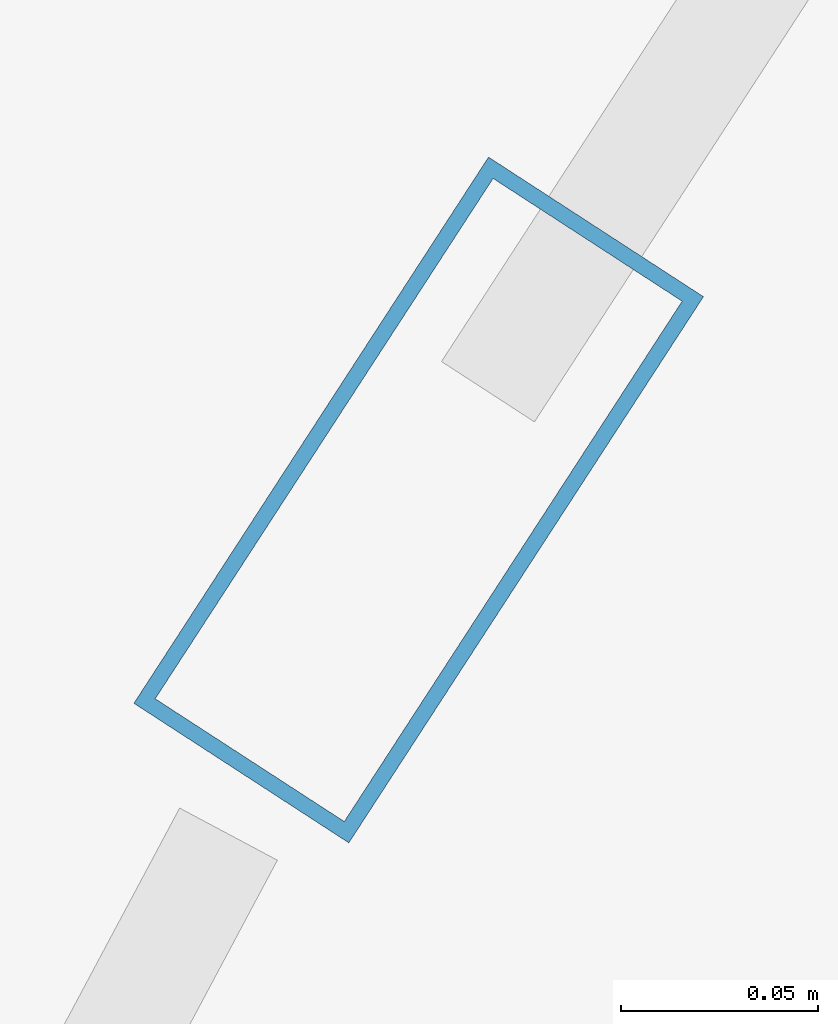
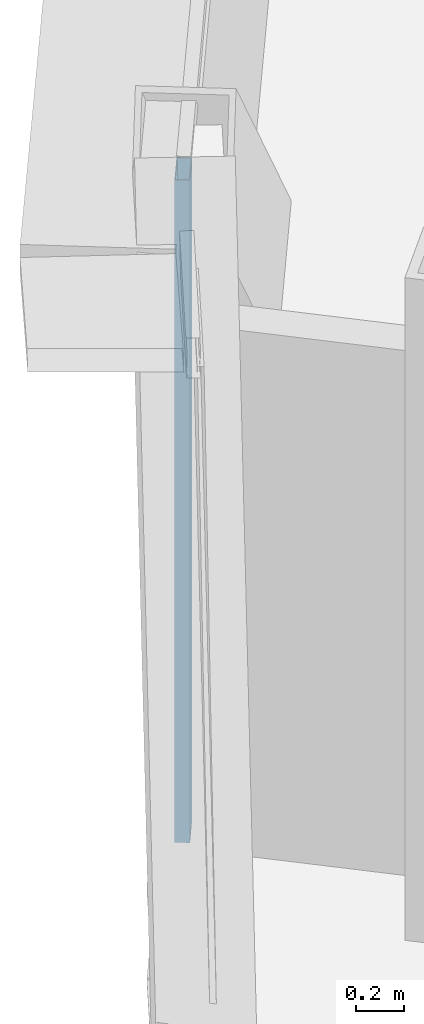
# One storey, part 16 of 42: 1 member, 1 element without a shape of its own.
"""IFC4 building model written with IfcOpenShell, lengths in metres."""

import ifcopenshell
import ifcopenshell.guid

model = None  # the IFC model being written
_history = None  # IfcOwnerHistory: only IFC2X3 demands one
_inside = {}  # id of a spatial element -> (the spatial element, [elements in it])
_under = {}  # id of a project, library or spatial element -> (it, [spatial elements below it])
_declared = {}  # id of a project -> (the project, [libraries it declares])
_typed = {}  # id of a type object -> (the type object, [elements of that type])
_made_of = {}  # id of a material, layer set ... -> (it, [elements and type objects made of it])


def new_model(schema):
    """Start an empty IFC model of exactly this schema.

    Asked for "IFC4X3", IfcOpenShell would pick the latest addendum, in which some entities
    have other attributes; the version numbers below select the first issue.
    IFC2X3 requires an IfcOwnerHistory on every rooted entity: one is made here for all.
    """
    global model, _history
    if schema == "IFC4X3":
        model = ifcopenshell.file(schema_version=(4, 3, 0, 0))
    else:
        model = ifcopenshell.file(schema=schema)
    _inside.clear()
    _under.clear()
    _declared.clear()
    _typed.clear()
    _made_of.clear()
    _history = None
    if model.schema == "IFC2X3":
        org = make("IfcOrganization", Name="unknown")
        user = make(
            "IfcPersonAndOrganization",
            ThePerson=make("IfcPerson", FamilyName="unknown"),
            TheOrganization=org,
        )
        app = make(
            "IfcApplication",
            ApplicationDeveloper=org,
            Version="unknown",
            ApplicationFullName="unknown",
            ApplicationIdentifier="unknown",
        )
        _history = make(
            "IfcOwnerHistory",
            OwningUser=user,
            OwningApplication=app,
            ChangeAction="ADDED",
            CreationDate=0,
        )
    return model


def make(cls, **values):
    """One entity of the class cls with the attributes given. An attribute that is None is left unset."""
    return model.create_entity(
        cls, **{name: value for name, value in values.items() if value is not None}
    )


def rooted(cls, **values):
    """An entity with a GlobalId (a new one), such as an element, a storey or a relation."""
    return make(cls, GlobalId=ifcopenshell.guid.new(), OwnerHistory=_history, **values)


def si_unit(unit_type, name, prefix=None):
    """IfcSIUnit, for example si_unit("LENGTHUNIT", "METRE", prefix="MILLI")."""
    return make("IfcSIUnit", UnitType=unit_type, Prefix=prefix, Name=name)


def assignment(units):
    """IfcUnitAssignment: the units of a project."""
    return None if units is None else make("IfcUnitAssignment", Units=units)


def point(xyz):
    """IfcCartesianPoint."""
    return None if xyz is None else make("IfcCartesianPoint", Coordinates=xyz)


def direction(xyz):
    """IfcDirection."""
    return None if xyz is None else make("IfcDirection", DirectionRatios=xyz)


def frame(location, z_axis=None, x_axis=None):
    """IfcAxis2Placement3D, a coordinate frame: its origin and axes. An axis left out is left unset."""
    return make(
        "IfcAxis2Placement3D",
        Location=point(location),
        Axis=direction(z_axis),
        RefDirection=direction(x_axis),
    )


def frame_2d(location, x_axis=None):
    """IfcAxis2Placement2D, a coordinate frame in the plane: its origin and x axis."""
    return make(
        "IfcAxis2Placement2D", Location=point(location), RefDirection=direction(x_axis)
    )


def origin():
    """The frame at (0, 0, 0) with its axes left unset."""
    return frame((0.0, 0.0, 0.0))


def origin_2d():
    """The frame at (0, 0) in the plane with its x axis left unset."""
    return frame_2d((0.0, 0.0))


def place(relative_to, where):
    """IfcLocalPlacement: puts the frame where relative to a parent placement (None: the world)."""
    return make(
        "IfcLocalPlacement", PlacementRelTo=relative_to, RelativePlacement=where
    )


def context(
    kind, dimensions, precision=None, world=None, true_north=None, identifier=None
):
    """IfcGeometricRepresentationContext, for example the 3D "Model" context."""
    return make(
        "IfcGeometricRepresentationContext",
        ContextIdentifier=identifier,
        ContextType=kind,
        CoordinateSpaceDimension=dimensions,
        Precision=precision,
        WorldCoordinateSystem=world,
        TrueNorth=true_north,
    )


def subcontext(parent, identifier, kind, view, scale=None):
    """IfcGeometricRepresentationSubContext, for example "Body" below "Model"."""
    return make(
        "IfcGeometricRepresentationSubContext",
        ContextIdentifier=identifier,
        ContextType=kind,
        ParentContext=parent,
        TargetScale=scale,
        TargetView=view,
    )


def project(units=None, contexts=None):
    """IfcProject with its units and contexts."""
    return rooted(
        "IfcProject",
        Name="project",
        RepresentationContexts=contexts,
        UnitsInContext=assignment(units),
    )


def spatial(cls, under=None, at=None, **own):
    """A site, building, storey or space (cls), placed at a placement, below another one or the project."""
    s = rooted(cls, ObjectPlacement=at, **own)
    if under is not None:
        _under.setdefault(under.id(), (under, []))[1].append(s)
    return s


def profile(cls, at=None, kind="AREA", **sizes):
    """A parametric profile (cls). Its sizes go by their IFC names, for example OverallWidth=200.0."""
    return make(cls, ProfileType=kind, Position=at, **sizes)


def hollow_rectangle(**sizes):
    """IfcRectangleHollowProfileDef."""
    return profile("IfcRectangleHollowProfileDef", **sizes)


def extrude(swept, where, along, depth):
    """IfcExtrudedAreaSolid: the profile swept, set in the frame where, extruded along a direction by depth."""
    return make(
        "IfcExtrudedAreaSolid",
        SweptArea=swept,
        Position=where,
        ExtrudedDirection=direction(along),
        Depth=depth,
    )


def shape(context_of_items, identifier, shape_type, items):
    """IfcShapeRepresentation: the items that make up one representation, for example the "Body"."""
    return make(
        "IfcShapeRepresentation",
        ContextOfItems=context_of_items,
        RepresentationIdentifier=identifier,
        RepresentationType=shape_type,
        Items=items,
    )


def source(mapping_origin, context_of_items, identifier, shape_type, items):
    """IfcRepresentationMap: a shape defined once, which mapped items show again and again."""
    return make(
        "IfcRepresentationMap",
        MappingOrigin=mapping_origin,
        MappedRepresentation=shape(context_of_items, identifier, shape_type, items),
    )


def transform(
    local_origin,
    x_axis=None,
    y_axis=None,
    z_axis=None,
    scale=None,
    scale2=None,
    scale3=None,
    uniform=True,
):
    """IfcCartesianTransformationOperator3D, or its non-uniform kind. x_axis, y_axis, z_axis: its Axis1, 2, 3."""
    if uniform:
        return make(
            "IfcCartesianTransformationOperator3D",
            Axis1=direction(x_axis),
            Axis2=direction(y_axis),
            LocalOrigin=point(local_origin),
            Scale=scale,
            Axis3=direction(z_axis),
        )
    return make(
        "IfcCartesianTransformationOperator3DnonUniform",
        Axis1=direction(x_axis),
        Axis2=direction(y_axis),
        LocalOrigin=point(local_origin),
        Scale=scale,
        Axis3=direction(z_axis),
        Scale2=scale2,
        Scale3=scale3,
    )


def mapped(mapping_source, mapping_target):
    """IfcMappedItem: shows the shape of a source again, moved by a transform."""
    return make(
        "IfcMappedItem", MappingSource=mapping_source, MappingTarget=mapping_target
    )


def material(Name=None, Category=None):
    """IfcMaterial."""
    return make("IfcMaterial", Name=Name, Category=Category)


def layer(
    of_material, thickness, ventilated=None, Name=None, Category=None, Priority=None
):
    """IfcMaterialLayer: one layer of a wall or slab, of a material (None: an air gap)."""
    return make(
        "IfcMaterialLayer",
        Material=of_material,
        LayerThickness=thickness,
        IsVentilated=ventilated,
        Name=Name,
        Category=Category,
        Priority=Priority,
    )


def layer_set(layers, Name=None):
    """IfcMaterialLayerSet."""
    return make("IfcMaterialLayerSet", MaterialLayers=layers, LayerSetName=Name)


def material_profile(
    of_material, cross_section, Name=None, Category=None, Priority=None
):
    """IfcMaterialProfile: a cross section and its material."""
    return make(
        "IfcMaterialProfile",
        Name=Name,
        Material=of_material,
        Profile=cross_section,
        Priority=Priority,
        Category=Category,
    )


def profile_set(profiles, Name=None, composite=None):
    """IfcMaterialProfileSet."""
    return make(
        "IfcMaterialProfileSet",
        Name=Name,
        MaterialProfiles=profiles,
        CompositeProfile=composite,
    )


def made_of(thing, what):
    """Note that an element or type object is made of a material, layer set ...; save() writes the relation."""
    if what is not None:
        _made_of.setdefault(what.id(), (what, []))[1].append(thing)
    return thing


def type_object(cls, material=None, **own):
    """A type object (cls), such as IfcWallType, which elements share."""
    return made_of(rooted(cls, **own), material)


def element(
    cls,
    number,
    at=None,
    inside=None,
    cuts=None,
    type_object=None,
    material=None,
    context=None,
    identifier="Body",
    shape_type=None,
    held_by="IfcProductDefinitionShape",
    body=None,
    shapes=None,
    **own,
):
    """One element of the class cls, such as IfcWall. Its Tag is "e" and its number.

    at: its placement. inside: the storey or other place that contains it. cuts: it is an
    opening in that element (IfcRelVoidsElement). A single representation is given by context,
    identifier, shape_type and body (its items); several are given by shapes. held_by: the class
    of the entity that holds the representations. save() writes the other relations.
    """
    e = rooted(cls, Tag="e%d" % number, ObjectPlacement=at, **own)
    if body is not None:
        shapes = [shape(context, identifier, shape_type, body)]
    if shapes is not None:
        e.Representation = make(held_by, Representations=shapes)
    if inside is not None:
        _inside.setdefault(inside.id(), (inside, []))[1].append(e)
    if cuts is not None:
        rooted(
            "IfcRelVoidsElement", RelatingBuildingElement=cuts, RelatedOpeningElement=e
        )
    if type_object is not None:
        _typed.setdefault(type_object.id(), (type_object, []))[1].append(e)
    return made_of(e, material)


def aggregate(whole, parts):
    """IfcRelAggregates: a whole, such as a stair, and the parts it consists of."""
    return rooted("IfcRelAggregates", RelatingObject=whole, RelatedObjects=parts)


def save(model, path):
    """Write the relations noted so far, then the file.

    IfcRelAggregates (storeys below a building ...), IfcRelContainedInSpatialStructure (elements
    in a storey), IfcRelDefinesByType, IfcRelAssociatesMaterial and IfcRelDeclares: one each for
    every whole, place, type object, material and project.
    """
    for whole, parts in _under.values():
        aggregate(whole, parts)
    for where, things in _inside.values():
        rooted(
            "IfcRelContainedInSpatialStructure",
            RelatedElements=things,
            RelatingStructure=where,
        )
    for kind, things in _typed.values():
        rooted("IfcRelDefinesByType", RelatedObjects=things, RelatingType=kind)
    for what, things in _made_of.values():
        rooted("IfcRelAssociatesMaterial", RelatedObjects=things, RelatingMaterial=what)
    for by, libraries in _declared.values():
        rooted("IfcRelDeclares", RelatingContext=by, RelatedDefinitions=libraries)
    model.write(path)


model = new_model("IFC4")

# Units and contexts
model_context = context("Model", 3, precision=1e-05, world=origin(), true_north=direction((0.0, 1.0)))
body_context = subcontext(model_context, "Body", "Model", "MODEL_VIEW")
ifc_project = project(units=[si_unit("LENGTHUNIT", "METRE"), si_unit("AREAUNIT", "SQUARE_METRE"), si_unit("VOLUMEUNIT", "CUBIC_METRE"), si_unit("PLANEANGLEUNIT", "RADIAN"), si_unit("MASSUNIT", "GRAM", prefix="KILO"), si_unit("THERMODYNAMICTEMPERATUREUNIT", "KELVIN"), si_unit("POWERUNIT", "WATT")], contexts=[model_context])

# Site, building, storey
site_placement = place(None, origin())
site = spatial("IfcSite", under=ifc_project, at=site_placement, CompositionType="ELEMENT")
building_placement = place(site_placement, origin())
building = spatial("IfcBuilding", under=site, at=building_placement, Name="Yunzhuo Pagoda Commons", CompositionType="ELEMENT")
storey_placement = place(building_placement, frame((0.0, 0.0, 44.919921875)))
storey = spatial("IfcBuildingStorey", under=building, at=storey_placement, Name="L11", CompositionType="ELEMENT", Elevation=44.919921875)

# Curtain wall, member
ifc_material = material(Name="Anodized aluminium 6063-T6", Category="aluminium")
ifc_layer = layer(ifc_material, 0.1650390625)
ifc_layer_set = layer_set([ifc_layer], Name="Anodized aluminium 6063-T6")
curtain_wall_type = type_object("IfcCurtainWallType", Name="CW-LOW Low-Zone Ribbon Curtain Wall", PredefinedType="NOTDEFINED", material=ifc_layer_set)
curtain_wall_placement = place(storey_placement, origin())
curtain_wall = element("IfcCurtainWall", 1, at=curtain_wall_placement, inside=storey, type_object=curtain_wall_type, Name="L11 curtain wall CW-L11-F3B2", PredefinedType="NOTDEFINED")
ifc_material_profile = material_profile(ifc_material, hollow_rectangle(XDim=0.06494140625, YDim=0.1650390625, WallThickness=0.00390625, at=origin_2d()), Name="Anodized aluminium 6063-T6")
ifc_profile_set = profile_set([ifc_material_profile], Name="Anodized aluminium 6063-T6")
member_type = type_object("IfcMemberType", Name="CW-LOW-M Mullion RHS 165x65x4", PredefinedType="MULLION", material=ifc_profile_set)
shared_shape = source(origin(), body_context, "Body", "SweptSolid", [
    extrude(hollow_rectangle(XDim=0.06494140625, YDim=0.1650390625, WallThickness=0.00390625, at=origin_2d()), origin(), (0.0, 0.0, 1.0), 3.3701171875),
])
member_placement = place(storey_placement, frame((21.17041015625, 57.900634765625, 0.0), z_axis=(0.0, 0.0, 1.0), x_axis=(0.838709783089, -0.54457864423, 0.0)))
member = element("IfcMember", 2, at=member_placement, type_object=member_type, Name="CW mullion 2", PredefinedType="MULLION", context=body_context, shape_type="MappedRepresentation", body=[
    mapped(shared_shape, transform((0.0, 0.0, 0.0), scale=1.0)),
])
aggregate(curtain_wall, [member])

save(model, "model.ifc")
